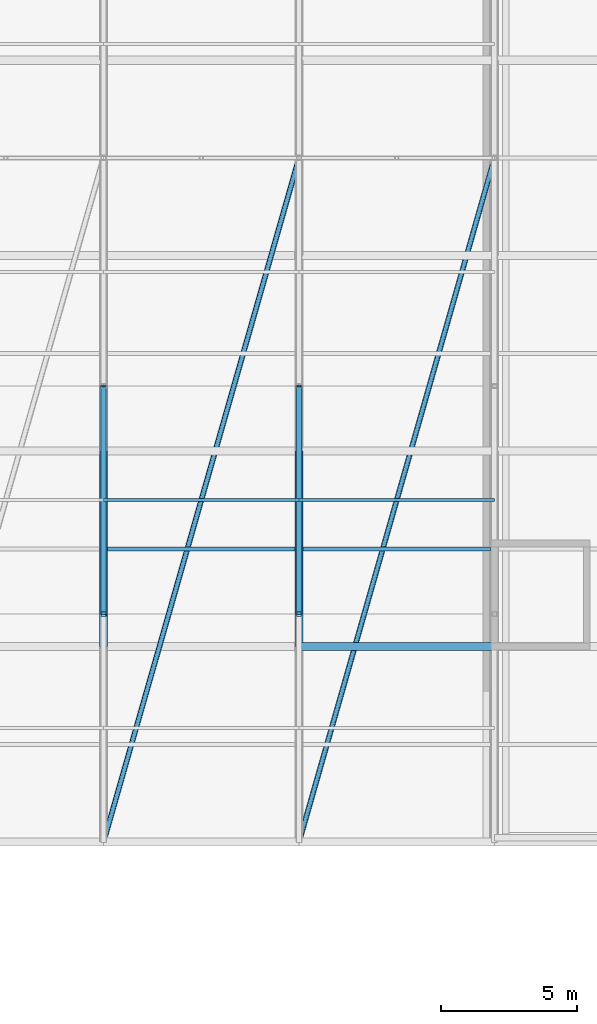
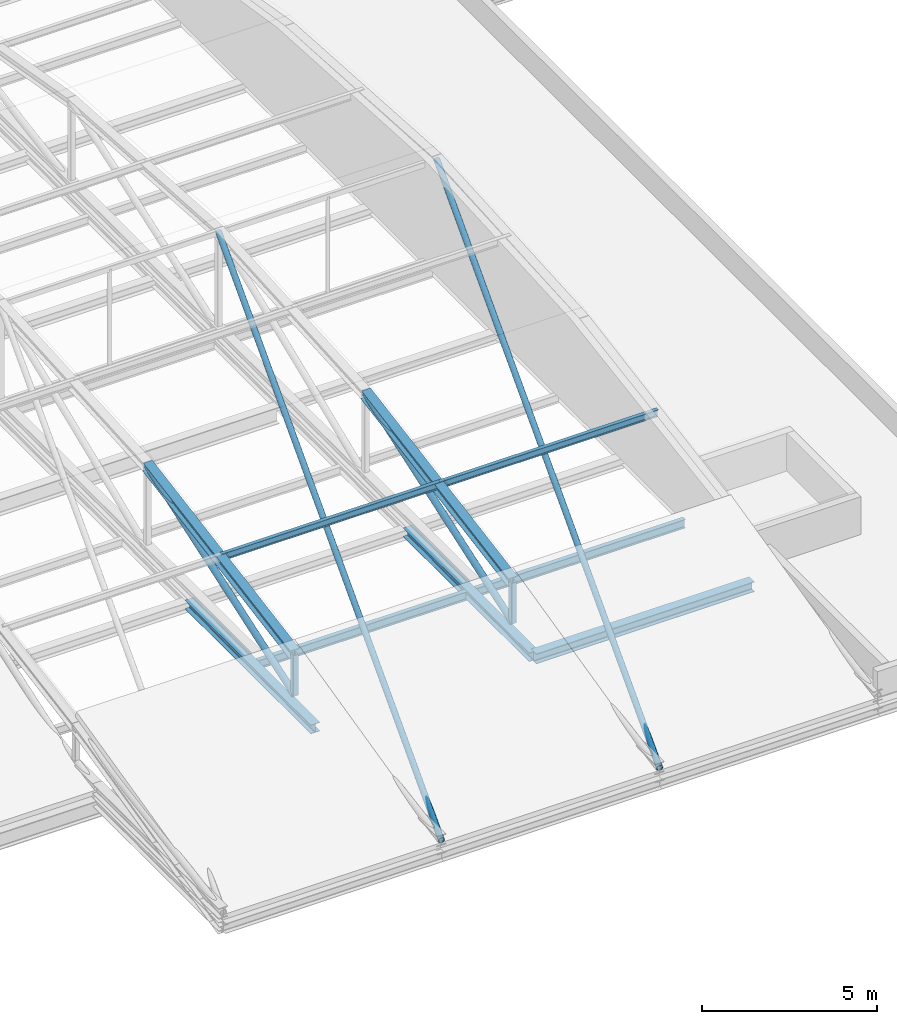
# One storey, part 12 of 76: 8 members, 7 beams.
"""IFC4 building model written with IfcOpenShell, lengths in metres."""

from ifc_helpers import new_model, si_unit, direction, frame, origin, origin_2d, place, context, subcontext, project, spatial, hollow_rectangle, hollow_circle, i_section, extrude, material, material_profile, profile_set, type_object, element, save


model = new_model("IFC4")

# Units and contexts
model_context = context("Model", 3, precision=1e-05, world=origin(), true_north=direction((0.0, 1.0)))
body_context = subcontext(model_context, "Body", "Model", "MODEL_VIEW")
ifc_project = project(units=[si_unit("LENGTHUNIT", "METRE"), si_unit("AREAUNIT", "SQUARE_METRE"), si_unit("VOLUMEUNIT", "CUBIC_METRE"), si_unit("PLANEANGLEUNIT", "RADIAN"), si_unit("MASSUNIT", "GRAM", prefix="KILO")], contexts=[model_context])

# Site, building, storey
site_placement = place(None, origin())
site = spatial("IfcSite", under=ifc_project, at=site_placement, CompositionType="ELEMENT")
building_placement = place(site_placement, origin())
building = spatial("IfcBuilding", under=site, at=building_placement, Name="Zlatovets Crest Museum", CompositionType="ELEMENT")
storey_placement = place(building_placement, frame((0.0, 0.0, 17.10009765625)))
storey = spatial("IfcBuildingStorey", under=building, at=storey_placement, Name="L04", CompositionType="ELEMENT", Elevation=17.10009765625)

# Beams
ifc_material = material(Name="Structural steel S355J2", Category="steel")
ifc_material_profile_1 = material_profile(ifc_material, i_section(OverallWidth=0.300048828125, OverallDepth=0.35009765625, WebThickness=0.010009765625, FlangeThickness=0.017578125, FilletRadius=0.027099609375, at=origin_2d()), Name="HEA 360")
ifc_profile_set_1 = profile_set([ifc_material_profile_1], Name="Structural steel S355J2")
beam_type_1 = type_object("IfcBeamType", Name="Beam_B-03", PredefinedType="BEAM", material=ifc_profile_set_1)
beam_1_placement = place(storey_placement, frame((21.60009765625, 57.60009765625, -0.39501953125), z_axis=(1.0, 0.0, 0.0), x_axis=(0.0, 1.0, 0.0)))
element("IfcBeam", 1, at=beam_1_placement, inside=storey, type_object=beam_type_1, Name="V4 L04 Primary Girder B-03", PredefinedType="BEAM", context=body_context, shape_type="SweptSolid", body=[
    extrude(i_section(OverallWidth=0.300048828125, OverallDepth=0.35009765625, WebThickness=0.010009765625, FlangeThickness=0.017578125, FilletRadius=0.027099609375, at=origin_2d()), origin(), (0.0, 0.0, 1.0), 7.199951171875),
])
ifc_material_profile_2 = material_profile(ifc_material, i_section(OverallWidth=0.300048828125, OverallDepth=0.31005859375, WebThickness=0.009033203125, FlangeThickness=0.015380859375, FilletRadius=0.027099609375, at=origin_2d()), Name="HEA 320")
ifc_profile_set_2 = profile_set([ifc_material_profile_2], Name="Structural steel S355J2")
beam_type_2 = type_object("IfcBeamType", Name="Beam_B-04", PredefinedType="BEAM", material=ifc_profile_set_2)
for number, where, z_axis, x_axis, name in (
    (2, (14.39990234375, 57.60009765625, -0.375), (0.0, 1.0, 0.0), (-1.0, 0.0, 0.0), "V4 L04 Grid Beam B-04"),
    (3, (21.60009765625, 57.60009765625, -0.375), (0.0, 1.0, 0.0), (-1.0, 0.0, 0.0), "V4 L04 Grid Beam B-04"),
):
    element("IfcBeam", number, at=place(storey_placement, frame(where, z_axis=z_axis, x_axis=x_axis)), inside=storey, type_object=beam_type_2, Name=name, PredefinedType="BEAM", context=body_context, shape_type="SweptSolid", body=[
        extrude(i_section(OverallWidth=0.300048828125, OverallDepth=0.31005859375, WebThickness=0.009033203125, FlangeThickness=0.015380859375, FilletRadius=0.027099609375, at=origin_2d()), origin(), (0.0, 0.0, 1.0), 7.199951171875),
    ])
ifc_material_profile_3 = material_profile(ifc_material, i_section(OverallWidth=0.14990234375, OverallDepth=0.300048828125, WebThickness=0.007080078125, FlangeThickness=0.0107421875, FilletRadius=0.014892578125, at=origin_2d()), Name="IPE 300")
ifc_profile_set_3 = profile_set([ifc_material_profile_3], Name="Structural steel S355J2")
beam_type_3 = type_object("IfcBeamType", Name="Beam_J-02", PredefinedType="JOIST", material=ifc_profile_set_3)
for number, where, z_axis, x_axis, name in (
    (4, (14.550048828125, 61.199951171875, -0.3701171875), (1.0, 0.0, 0.0), (0.0, 1.0, 0.0), "V4 L04 Composite Joist J-02"),
    (5, (21.75, 61.199951171875, -0.3701171875), (1.0, 0.0, 0.0), (0.0, 1.0, 0.0), "V4 L04 Composite Joist J-02"),
):
    element("IfcBeam", number, at=place(storey_placement, frame(where, z_axis=z_axis, x_axis=x_axis)), inside=storey, type_object=beam_type_3, Name=name, PredefinedType="JOIST", context=body_context, shape_type="SweptSolid", body=[
        extrude(i_section(OverallWidth=0.14990234375, OverallDepth=0.300048828125, WebThickness=0.007080078125, FlangeThickness=0.0107421875, FilletRadius=0.014892578125, at=origin_2d()), origin(), (0.0, 0.0, 1.0), 6.89990234375),
    ])
ifc_material_profile_4 = material_profile(ifc_material, i_section(OverallWidth=0.1201171875, OverallDepth=0.239990234375, WebThickness=0.006103515625, FlangeThickness=0.009765625, FilletRadius=0.014892578125, at=origin_2d()), Name="IPE 240")
ifc_profile_set_4 = profile_set([ifc_material_profile_4], Name="Structural steel S355J2")
beam_type_4 = type_object("IfcBeamType", Name="Beam_PR-01", PredefinedType="BEAM", material=ifc_profile_set_4)
beam_2_placement = place(storey_placement, frame((14.39990234375, 63.0, 2.33203125), z_axis=(1.0, 0.0, 0.0), x_axis=(0.0, 1.0, 0.0)))
element("IfcBeam", 6, at=beam_2_placement, inside=storey, type_object=beam_type_4, Name="V4 Barrel Vault Longitudinal Purlin", PredefinedType="BEAM", context=body_context, shape_type="SweptSolid", body=[
    extrude(i_section(OverallWidth=0.1201171875, OverallDepth=0.239990234375, WebThickness=0.006103515625, FlangeThickness=0.009765625, FilletRadius=0.014892578125, at=origin_2d()), origin(), (0.0, 0.0, 1.0), 7.2001953125),
])
beam_3_placement = place(storey_placement, frame((21.60009765625, 63.0, 2.33203125), z_axis=(1.0, 0.0, 0.0), x_axis=(0.0, 1.0, 0.0)))
element("IfcBeam", 7, at=beam_3_placement, inside=storey, type_object=beam_type_4, Name="V4 Barrel Vault Longitudinal Purlin", PredefinedType="BEAM", context=body_context, shape_type="SweptSolid", body=[
    extrude(i_section(OverallWidth=0.1201171875, OverallDepth=0.239990234375, WebThickness=0.006103515625, FlangeThickness=0.009765625, FilletRadius=0.014892578125, at=origin_2d()), origin(), (0.0, 0.0, 1.0), 7.199951171875),
])

# Members
ifc_material_profile_5 = material_profile(ifc_material, i_section(OverallWidth=0.300048828125, OverallDepth=0.31005859375, WebThickness=0.009033203125, FlangeThickness=0.015380859375, FilletRadius=0.027099609375, at=origin_2d()), Name="HEA 320")
ifc_profile_set_5 = profile_set([ifc_material_profile_5], Name="Structural steel S355J2")
member_type_1 = type_object("IfcMemberType", Name="Member_TM-02", PredefinedType="RAFTER", material=ifc_profile_set_5)
for number, where, z_axis, x_axis, name in (
    (8, (14.39990234375, 58.800048828125, 1.5), (0.0, 0.985147168776, 0.171712130766), (-1.0, 0.0, 0.0), "V4 Art Nouveau Curved Vault Rib"),
    (9, (21.60009765625, 58.800048828125, 1.5), (0.0, 0.985147168776, 0.171712130766), (-1.0, 0.0, 0.0), "V4 Art Nouveau Curved Vault Rib"),
):
    element("IfcMember", number, at=place(storey_placement, frame(where, z_axis=z_axis, x_axis=x_axis)), inside=storey, type_object=member_type_1, Name=name, PredefinedType="RAFTER", context=body_context, shape_type="SweptSolid", body=[
        extrude(i_section(OverallWidth=0.300048828125, OverallDepth=0.31005859375, WebThickness=0.009033203125, FlangeThickness=0.015380859375, FilletRadius=0.027099609375, at=origin_2d()), origin(), (0.0, 0.0, 1.0), 8.526611328125),
    ])
ifc_material_profile_6 = material_profile(ifc_material, hollow_rectangle(XDim=0.179931640625, YDim=0.179931640625, WallThickness=0.010009765625, InnerFilletRadius=0.010009765625, OuterFilletRadius=0.02001953125, at=origin_2d()), Name="SHS 180x180x10.0")
ifc_profile_set_6 = profile_set([ifc_material_profile_6], Name="Structural steel S355J2")
member_type_2 = type_object("IfcMemberType", Name="Member_TM-04", PredefinedType="STRUT", material=ifc_profile_set_6)
for number, where, z_axis, x_axis, name in (
    (10, (14.39990234375, 58.800048828125, 0.079833984375), (0.0, 0.0, 1.0), (1.0, 0.0, 0.0), "V4 Barrel Vault Web Strut"),
    (11, (21.60009765625, 58.800048828125, 0.079833984375), (0.0, 0.0, 1.0), (1.0, 0.0, 0.0), "V4 Barrel Vault Web Strut"),
):
    element("IfcMember", number, at=place(storey_placement, frame(where, z_axis=z_axis, x_axis=x_axis)), inside=storey, type_object=member_type_2, Name=name, PredefinedType="STRUT", context=body_context, shape_type="SweptSolid", body=[
        extrude(hollow_rectangle(XDim=0.179931640625, YDim=0.179931640625, WallThickness=0.010009765625, InnerFilletRadius=0.010009765625, OuterFilletRadius=0.02001953125, at=origin_2d()), origin(), (0.0, 0.0, 1.0), 1.420166015625),
    ])
ifc_material_profile_7 = material_profile(ifc_material, hollow_circle(Radius=0.109619140625, WallThickness=0.010009765625, at=origin_2d()), Name="CHS 219.1x10.0")
ifc_profile_set_7 = profile_set([ifc_material_profile_7], Name="Structural steel S355J2")
member_type_3 = type_object("IfcMemberType", Name="Member_TM-05", PredefinedType="BRACE", material=ifc_profile_set_7)
for number, where, z_axis, x_axis, name in (
    (12, (14.39990234375, 58.800048828125, 0.079833984375), (0.0, 0.945796934136, 0.324758617098), (-1.0, 0.0, 0.0), "V4 Barrel Vault Web Diagonal"),
    (13, (21.60009765625, 58.800048828125, 0.079833984375), (0.0, 0.945796934136, 0.324758617098), (-1.0, 0.0, 0.0), "V4 Barrel Vault Web Diagonal"),
):
    element("IfcMember", number, at=place(storey_placement, frame(where, z_axis=z_axis, x_axis=x_axis)), inside=storey, type_object=member_type_3, Name=name, PredefinedType="BRACE", context=body_context, shape_type="SweptSolid", body=[
        extrude(hollow_circle(Radius=0.109619140625, WallThickness=0.010009765625, at=origin_2d()), origin(), (0.0, 0.0, 1.0), 8.88134765625),
    ])
ifc_material_profile_8 = material_profile(ifc_material, hollow_circle(Radius=0.096923828125, WallThickness=0.010009765625, at=origin_2d()), Name="CHS 193.7x10.0")
ifc_profile_set_8 = profile_set([ifc_material_profile_8], Name="Structural steel S355J2")
member_type_4 = type_object("IfcMemberType", Name="Member_TM-10", PredefinedType="BRACE", material=ifc_profile_set_8)
for number, where, z_axis, x_axis, name in (
    (14, (14.39990234375, 50.39990234375, 0.079833984375), (0.272416265703, 0.953438456053, 0.129400497295), (-0.961522541549, 0.27472604917, 0.0), "Gallery Vault Roof Plan Brace"),
    (15, (21.60009765625, 50.39990234375, 0.079833984375), (0.272407714197, 0.953440855155, 0.129400822901), (-0.961525002196, 0.274717436928, 0.0), "Gallery Vault Roof Plan Brace"),
):
    element("IfcMember", number, at=place(storey_placement, frame(where, z_axis=z_axis, x_axis=x_axis)), inside=storey, type_object=member_type_4, Name=name, PredefinedType="BRACE", context=body_context, shape_type="SweptSolid", body=[
        extrude(hollow_circle(Radius=0.096923828125, WallThickness=0.010009765625, at=origin_2d()), origin(), (0.0, 0.0, 1.0), 26.430908203125),
    ])

save(model, "model.ifc")
